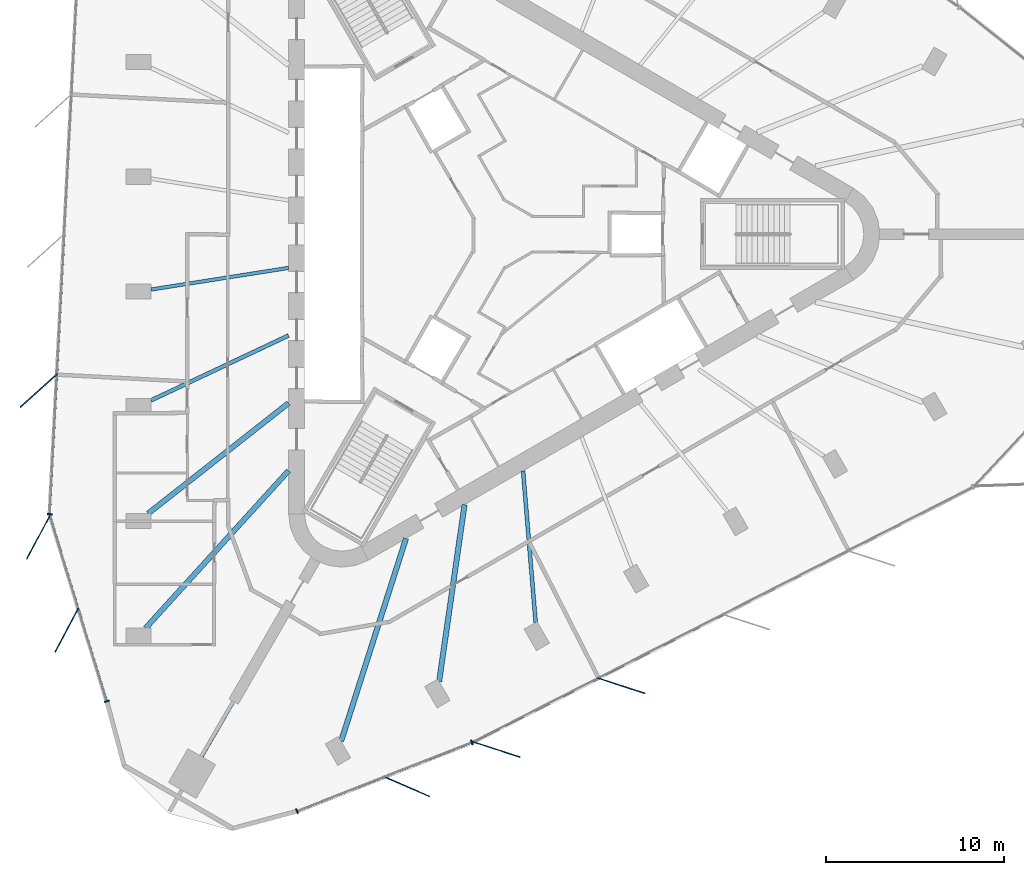
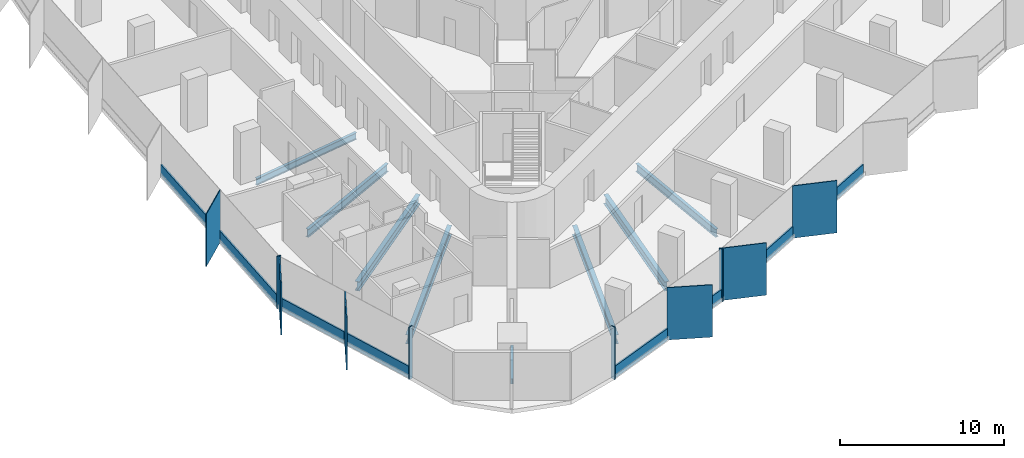
# One storey, part 2 of 13: 18 members, 8 beams, 4 elements without a shape of their own.
"""IFC4 building model written with IfcOpenShell, lengths in metres."""

from ifc_helpers import new_model, si_unit, direction, frame, origin, origin_2d, place, context, subcontext, project, spatial, rectangle, i_section, extrude, material, material_profile, profile_set, type_object, element, aggregate, save


model = new_model("IFC4")

# Units and contexts
model_context = context("Model", 3, precision=1e-05, world=origin(), true_north=direction((0.0, 1.0)))
body_context = subcontext(model_context, "Body", "Model", "MODEL_VIEW")
ifc_project = project(units=[si_unit("LENGTHUNIT", "METRE"), si_unit("AREAUNIT", "SQUARE_METRE"), si_unit("VOLUMEUNIT", "CUBIC_METRE"), si_unit("PLANEANGLEUNIT", "RADIAN"), si_unit("MASSUNIT", "GRAM", prefix="KILO")], contexts=[model_context])

# Site, building, storey
site_placement = place(None, origin())
site = spatial("IfcSite", under=ifc_project, at=site_placement, CompositionType="ELEMENT")
building_placement = place(site_placement, origin())
building = spatial("IfcBuilding", under=site, at=building_placement, Name="Tanit Gate Tower", CompositionType="ELEMENT")
storey_placement = place(building_placement, frame((0.0, 0.0, 314.300048828125)))
storey = spatial("IfcBuildingStorey", under=building, at=storey_placement, Name="L70", CompositionType="ELEMENT", Elevation=314.300048828125)

# Curtain wall, member
ifc_material_1 = material(Name="Aluminium bronze anodised and glass", Category="aluminium")
curtain_wall_type = type_object("IfcCurtainWallType", Name="Curtain wall typical high", PredefinedType="NOTDEFINED", material=ifc_material_1)
curtain_wall_1_placement = place(storey_placement, origin())
curtain_wall_1 = element("IfcCurtainWall", 1, at=curtain_wall_1_placement, inside=storey, type_object=curtain_wall_type, Name="Curtain wall L70 W2", PredefinedType="NOTDEFINED")
ifc_material_2 = material(Name="Aluminium bronze anodised", Category="aluminium")
ifc_material_profile_1 = material_profile(ifc_material_2, rectangle(XDim=2.800048828125, YDim=0.055908203125, at=origin_2d()), Name="56x2800 bronze fin mullion")
ifc_profile_set_1 = profile_set([ifc_material_profile_1], Name="Aluminium bronze anodised")
member_type_1 = type_object("IfcMemberType", Name="FIN MULLION 56x2800 bronze", PredefinedType="MULLION", material=ifc_profile_set_1)
member_1_placement = place(storey_placement, frame((-26.171630859375, -8.811279296875, -0.300048828125), z_axis=(0.0, 0.0, 1.0), x_axis=(0.742921658135, 0.669378375715, 0.0)))
member_1 = element("IfcMember", 2, at=member_1_placement, type_object=member_type_1, Name="Fin mullion L70 W2.4", PredefinedType="MULLION", context=body_context, shape_type="SweptSolid", body=[
    extrude(rectangle(XDim=2.800048828125, YDim=0.055908203125, at=origin_2d()), origin(), (0.0, 0.0, 1.0), 3.89990234375),
])

# Curtain wall, members
curtain_wall_2_placement = place(storey_placement, origin())
curtain_wall_2 = element("IfcCurtainWall", 3, at=curtain_wall_2_placement, inside=storey, type_object=curtain_wall_type, Name="Curtain wall L70 W3", PredefinedType="NOTDEFINED")
member_2_placement = place(storey_placement, frame((-26.195068359375, -17.0732421875, -0.300048828125), z_axis=(0.0, 0.0, 1.0), x_axis=(0.469169269872, 0.883108258487, 0.0)))
member_2 = element("IfcMember", 4, at=member_2_placement, type_object=member_type_1, Name="Fin mullion L70 W3.1", PredefinedType="MULLION", context=body_context, shape_type="SweptSolid", body=[
    extrude(rectangle(XDim=2.800048828125, YDim=0.055908203125, at=origin_2d()), origin(), (0.0, 0.0, 1.0), 3.89990234375),
])
member_3_placement = place(storey_placement, frame((-24.59423828125, -22.302734375, -0.300048828125), z_axis=(0.0, 0.0, 1.0), x_axis=(0.469169269872, 0.883108258487, 0.0)))
member_3 = element("IfcMember", 5, at=member_3_placement, type_object=member_type_1, Name="Fin mullion L70 W3.2", PredefinedType="MULLION", context=body_context, shape_type="SweptSolid", body=[
    extrude(rectangle(XDim=2.800048828125, YDim=0.055908203125, at=origin_2d()), origin(), (0.0, 0.0, 1.0), 3.89990234375),
])

# Curtain wall, member
curtain_wall_3_placement = place(storey_placement, origin())
curtain_wall_3 = element("IfcCurtainWall", 6, at=curtain_wall_3_placement, inside=storey, type_object=curtain_wall_type, Name="Curtain wall L70 SE1", PredefinedType="NOTDEFINED")
member_4_placement = place(storey_placement, frame((-5.437744140625, -31.119873046875, -0.300048828125), z_axis=(0.0, 0.0, 1.0), x_axis=(-0.916890797813, 0.399138152632, 0.0)))
member_4 = element("IfcMember", 7, at=member_4_placement, type_object=member_type_1, Name="Fin mullion L70 SE1.2", PredefinedType="MULLION", context=body_context, shape_type="SweptSolid", body=[
    extrude(rectangle(XDim=2.800048828125, YDim=0.055908203125, at=origin_2d()), origin(), (0.0, 0.0, 1.0), 3.89990234375),
])

# Curtain wall, members
curtain_wall_4_placement = place(storey_placement, origin())
curtain_wall_4 = element("IfcCurtainWall", 8, at=curtain_wall_4_placement, inside=storey, type_object=curtain_wall_type, Name="Curtain wall L70 SE2", PredefinedType="NOTDEFINED")
member_5_placement = place(storey_placement, frame((-0.395263671875, -29.025634765625, -0.300048828125), z_axis=(0.0, 0.0, 1.0), x_axis=(-0.95115950718, 0.308699841109, 0.0)))
member_5 = element("IfcMember", 9, at=member_5_placement, type_object=member_type_1, Name="Fin mullion L70 SE2.1", PredefinedType="MULLION", context=body_context, shape_type="SweptSolid", body=[
    extrude(rectangle(XDim=2.800048828125, YDim=0.055908203125, at=origin_2d()), origin(), (0.0, 0.0, 1.0), 3.89990234375),
])
member_6_placement = place(storey_placement, frame((6.64208984375, -25.43701171875, -0.300048828125), z_axis=(0.0, 0.0, 1.0), x_axis=(-0.95115950718, 0.308699841109, 0.0)))
member_6 = element("IfcMember", 10, at=member_6_placement, type_object=member_type_1, Name="Fin mullion L70 SE2.2", PredefinedType="MULLION", context=body_context, shape_type="SweptSolid", body=[
    extrude(rectangle(XDim=2.800048828125, YDim=0.055908203125, at=origin_2d()), origin(), (0.0, 0.0, 1.0), 3.89990234375),
])

# Member
ifc_material_3 = material(Name="Aluminium bronze anodised", Category="aluminium")
ifc_material_profile_2 = material_profile(ifc_material_3, rectangle(XDim=0.280029296875, YDim=0.080078125, at=origin_2d()), Name="80x280 bronze mullion")
ifc_profile_set_2 = profile_set([ifc_material_profile_2], Name="Aluminium bronze anodised")
member_type_2 = type_object("IfcMemberType", Name="Mullion 80x280 typical high", PredefinedType="MULLION", material=ifc_profile_set_2)
member_7_placement = place(storey_placement, frame((-25.55712890625, -15.776123046875, -0.300048828125), z_axis=(0.0, 0.0, 1.0), x_axis=(0.998646931005, -0.05200295371, 0.0)))
member_7 = element("IfcMember", 11, at=member_7_placement, type_object=member_type_2, Name="Mullion L70 W2.5", PredefinedType="MULLION", context=body_context, shape_type="SweptSolid", body=[
    extrude(rectangle(XDim=0.280029296875, YDim=0.080078125, at=origin_2d()), origin(), (0.0, 0.0, 1.0), 3.89990234375),
])

member_8_placement = place(storey_placement, frame((-22.345947265625, -26.3134765625, -0.300048828125), z_axis=(0.0, 0.0, 1.0), x_axis=(0.956204610349, 0.292699065847, 0.0)))
member_8 = element("IfcMember", 12, at=member_8_placement, type_object=member_type_2, Name="Mullion L70 W3.3", PredefinedType="MULLION", context=body_context, shape_type="SweptSolid", body=[
    extrude(rectangle(XDim=0.280029296875, YDim=0.080078125, at=origin_2d()), origin(), (0.0, 0.0, 1.0), 3.89990234375),
])

member_9_placement = place(storey_placement, frame((-11.625732421875, -32.505615234375, -0.300048828125), z_axis=(0.0, 0.0, 1.0), x_axis=(-0.366106406385, 0.930572995097, 0.0)))
member_9 = element("IfcMember", 13, at=member_9_placement, type_object=member_type_2, Name="Mullion L70 SE1.1", PredefinedType="MULLION", context=body_context, shape_type="SweptSolid", body=[
    extrude(rectangle(XDim=0.280029296875, YDim=0.080078125, at=origin_2d()), origin(), (0.0, 0.0, 1.0), 3.89990234375),
])

member_10_placement = place(storey_placement, frame((-1.78076171875, -28.63232421875, -0.300048828125), z_axis=(0.0, 0.0, 1.0), x_axis=(-0.366106406385, 0.930572995097, 0.0)))
member_10 = element("IfcMember", 14, at=member_10_placement, type_object=member_type_2, Name="Mullion L70 SE1.3", PredefinedType="MULLION", context=body_context, shape_type="SweptSolid", body=[
    extrude(rectangle(XDim=0.280029296875, YDim=0.080078125, at=origin_2d()), origin(), (0.0, 0.0, 1.0), 3.89990234375),
])

# Beams
ifc_material_4 = material(Name="Steel S355", Category="steel")
ifc_material_profile_3 = material_profile(ifc_material_4, i_section(OverallWidth=0.300048828125, OverallDepth=0.68994140625, WebThickness=0.014404296875, FlangeThickness=0.027099609375, FilletRadius=0.027099609375, at=origin_2d()), Name="HEA 700")
ifc_profile_set_3 = profile_set([ifc_material_profile_3], Name="Steel S355")
beam_type_1 = type_object("IfcBeamType", Name="RADIAL GIRDER HEA 700 S355", PredefinedType="BEAM", material=ifc_profile_set_3)
beam_1_placement = place(storey_placement, frame((-20.009033203125, -15.734619140625, -0.64501953125), z_axis=(0.786058028023, 0.618152712993, 0.0), x_axis=(-0.618152712993, 0.786058028023, 0.0)))
element("IfcBeam", 15, at=beam_1_placement, inside=storey, type_object=beam_type_1, Name="RADIAL GIRDER", PredefinedType="BEAM", context=body_context, shape_type="SweptSolid", body=[
    extrude(i_section(OverallWidth=0.300048828125, OverallDepth=0.68994140625, WebThickness=0.014404296875, FlangeThickness=0.027099609375, FilletRadius=0.027099609375, at=origin_2d()), origin(), (0.0, 0.0, 1.0), 10.05908203125),
])
beam_2_placement = place(storey_placement, frame((-20.16357421875, -22.198486328125, -0.64501953125), z_axis=(0.672368682258, 0.740216424513, 0.0), x_axis=(-0.740216424513, 0.672368682258, 0.0)))
element("IfcBeam", 16, at=beam_2_placement, inside=storey, type_object=beam_type_1, Name="RADIAL GIRDER", PredefinedType="BEAM", context=body_context, shape_type="SweptSolid", body=[
    extrude(i_section(OverallWidth=0.300048828125, OverallDepth=0.68994140625, WebThickness=0.014404296875, FlangeThickness=0.027099609375, FilletRadius=0.027099609375, at=origin_2d()), origin(), (0.0, 0.0, 1.0), 11.98974609375),
])
beam_3_placement = place(storey_placement, frame((-9.142822265625, -28.5615234375, -0.64501953125), z_axis=(0.304861429939, 0.952396718041, 0.0), x_axis=(-0.952396718041, 0.304861429939, 0.0)))
element("IfcBeam", 17, at=beam_3_placement, inside=storey, type_object=beam_type_1, Name="RADIAL GIRDER", PredefinedType="BEAM", context=body_context, shape_type="SweptSolid", body=[
    extrude(i_section(OverallWidth=0.300048828125, OverallDepth=0.68994140625, WebThickness=0.014404296875, FlangeThickness=0.027099609375, FilletRadius=0.027099609375, at=origin_2d()), origin(), (0.0, 0.0, 1.0), 11.989990234375),
])
beam_4_placement = place(storey_placement, frame((-3.622314453125, -25.19580078125, -0.64501953125), z_axis=(0.142297951306, 0.989823869713, 0.0), x_axis=(-0.989823869713, 0.142297951306, 0.0)))
element("IfcBeam", 18, at=beam_4_placement, inside=storey, type_object=beam_type_1, Name="RADIAL GIRDER", PredefinedType="BEAM", context=body_context, shape_type="SweptSolid", body=[
    extrude(i_section(OverallWidth=0.300048828125, OverallDepth=0.68994140625, WebThickness=0.014404296875, FlangeThickness=0.027099609375, FilletRadius=0.027099609375, at=origin_2d()), origin(), (0.0, 0.0, 1.0), 10.05908203125),
])
ifc_material_5 = material(Name="Steel S355", Category="steel")
ifc_material_profile_4 = material_profile(ifc_material_5, i_section(OverallWidth=0.179931640625, OverallDepth=0.39990234375, WebThickness=0.008544921875, FlangeThickness=0.013427734375, FilletRadius=0.02099609375, at=origin_2d()), Name="IPE 400")
ifc_profile_set_4 = profile_set([ifc_material_profile_4], Name="Steel S355")
beam_type_2 = type_object("IfcBeamType", Name="RADIAL GIRDER IPE 400 S355", PredefinedType="BEAM", material=ifc_profile_set_4)
beam_5_placement = place(storey_placement, frame((-16.991455078125, -29.43017578125, -0.5), z_axis=(0.499968468511, 0.866043607733, 0.0), x_axis=(-0.866043607733, 0.499968468511, 0.0)))
element("IfcBeam", 19, at=beam_5_placement, inside=storey, type_object=beam_type_2, Name="RADIAL GIRDER", PredefinedType="BEAM", context=body_context, shape_type="SweptSolid", body=[
    extrude(i_section(OverallWidth=0.179931640625, OverallDepth=0.39990234375, WebThickness=0.008544921875, FlangeThickness=0.013427734375, FilletRadius=0.02099609375, at=origin_2d()), origin(), (0.0, 0.0, 1.0), 3.579345703125),
])
ifc_material_6 = material(Name="Steel S355", Category="steel")
ifc_material_profile_5 = material_profile(ifc_material_6, i_section(OverallWidth=0.199951171875, OverallDepth=0.5, WebThickness=0.01025390625, FlangeThickness=0.01611328125, FilletRadius=0.02099609375, at=origin_2d()), Name="IPE 500")
ifc_profile_set_5 = profile_set([ifc_material_profile_5], Name="Steel S355")
beam_type_3 = type_object("IfcBeamType", Name="RADIAL GIRDER IPE 500 S355", PredefinedType="BEAM", material=ifc_profile_set_5)
beam_6_placement = place(storey_placement, frame((-19.849609375, -3.121826171875, -0.550048828125), z_axis=(0.987856930441, 0.15536629293, 0.0), x_axis=(-0.15536629293, 0.987856930441, 0.0)))
element("IfcBeam", 20, at=beam_6_placement, inside=storey, type_object=beam_type_3, Name="RADIAL GIRDER", PredefinedType="BEAM", context=body_context, shape_type="SweptSolid", body=[
    extrude(i_section(OverallWidth=0.199951171875, OverallDepth=0.5, WebThickness=0.01025390625, FlangeThickness=0.01611328125, FilletRadius=0.02099609375, at=origin_2d()), origin(), (0.0, 0.0, 1.0), 7.8427734375),
])
ifc_material_7 = material(Name="Steel S355", Category="steel")
ifc_material_profile_6 = material_profile(ifc_material_7, i_section(OverallWidth=0.219970703125, OverallDepth=0.60009765625, WebThickness=0.011962890625, FlangeThickness=0.01904296875, FilletRadius=0.02392578125, at=origin_2d()), Name="IPE 600")
ifc_profile_set_6 = profile_set([ifc_material_profile_6], Name="Steel S355")
beam_type_4 = type_object("IfcBeamType", Name="RADIAL GIRDER IPE 600 S355", PredefinedType="BEAM", material=ifc_profile_set_6)
for number, where, z_axis, x_axis, name in (
    (21, (-19.849609375, -9.365478515625, -0.60009765625), (0.90438615004, 0.426715000458, 0.0), (-0.426715000458, 0.90438615004, 0.0), "RADIAL GIRDER"),
    (22, (1.81396484375, -21.873046875, -0.60009765625), (-0.082646881355, 0.99657889452, 0.0), (-0.99657889452, -0.082646881355, 0.0), "RADIAL GIRDER"),
):
    element("IfcBeam", number, at=place(storey_placement, frame(where, z_axis=z_axis, x_axis=x_axis)), inside=storey, type_object=beam_type_4, Name=name, PredefinedType="BEAM", context=body_context, shape_type="SweptSolid", body=[
        extrude(i_section(OverallWidth=0.219970703125, OverallDepth=0.60009765625, WebThickness=0.011962890625, FlangeThickness=0.01904296875, FilletRadius=0.02392578125, at=origin_2d()), origin(), (0.0, 0.0, 1.0), 8.566650390625),
    ])

# Member
ifc_material_8 = material(Name="Aluminium bronze anodised", Category="aluminium")
ifc_material_profile_7 = material_profile(ifc_material_8, rectangle(XDim=0.1201171875, YDim=0.89990234375, at=origin_2d()), Name="120x900 bronze transom")
ifc_profile_set_7 = profile_set([ifc_material_profile_7], Name="Aluminium bronze anodised")
member_type_3 = type_object("IfcMemberType", Name="Transom 120x900 typical high", PredefinedType="USERDEFINED", material=ifc_profile_set_7)
member_11_placement = place(storey_placement, frame((-24.737548828125, -0.03857421875, 0.14990234375), z_axis=(-0.05201640207, -0.998646230612, 0.0), x_axis=(0.998646230612, -0.05201640207, 0.0)))
member_11 = element("IfcMember", 23, at=member_11_placement, type_object=member_type_3, Name="Transom L70 W2.3", ObjectType="TRANSOM", PredefinedType="USERDEFINED", context=body_context, shape_type="SweptSolid", body=[
    extrude(rectangle(XDim=0.1201171875, YDim=0.89990234375, at=origin_2d()), origin(), (0.0, 0.0, 1.0), 7.8193359375),
])

member_12_placement = place(storey_placement, frame((-25.1484375, -7.92724609375, 0.14990234375), z_axis=(-0.05201640207, -0.998646230612, 0.0), x_axis=(0.998646230612, -0.05201640207, 0.0)))
member_12 = element("IfcMember", 24, at=member_12_placement, type_object=member_type_3, Name="Transom L70 W2.4", ObjectType="TRANSOM", PredefinedType="USERDEFINED", context=body_context, shape_type="SweptSolid", body=[
    extrude(rectangle(XDim=0.1201171875, YDim=0.89990234375, at=origin_2d()), origin(), (0.0, 0.0, 1.0), 7.8193359375),
])

aggregate(curtain_wall_1, [member_1, member_7, member_11, member_12])

member_13_placement = place(storey_placement, frame((-25.535888671875, -15.892578125, 0.14990234375), z_axis=(0.292700746811, -0.956204095796, 0.0), x_axis=(0.956204095796, 0.292700746811, 0.0)))
member_13 = element("IfcMember", 25, at=member_13_placement, type_object=member_type_3, Name="Transom L70 W3.1", ObjectType="TRANSOM", PredefinedType="USERDEFINED", context=body_context, shape_type="SweptSolid", body=[
    extrude(rectangle(XDim=0.1201171875, YDim=0.89990234375, at=origin_2d()), origin(), (0.0, 0.0, 1.0), 5.38916015625),
])

member_14_placement = place(storey_placement, frame((-23.93505859375, -21.122314453125, 0.14990234375), z_axis=(0.292700746811, -0.956204095796, 0.0), x_axis=(0.956204095796, 0.292700746811, 0.0)))
member_14 = element("IfcMember", 26, at=member_14_placement, type_object=member_type_3, Name="Transom L70 W3.2", ObjectType="TRANSOM", PredefinedType="USERDEFINED", context=body_context, shape_type="SweptSolid", body=[
    extrude(rectangle(XDim=0.1201171875, YDim=0.89990234375, at=origin_2d()), origin(), (0.0, 0.0, 1.0), 5.38916015625),
])

aggregate(curtain_wall_2, [member_2, member_3, member_8, member_13, member_14])

member_15_placement = place(storey_placement, frame((-11.58837890625, -32.490966796875, 0.14990234375), z_axis=(0.930575374327, 0.366100358777, 0.0), x_axis=(-0.366100358777, 0.930575374327, 0.0)))
member_15 = element("IfcMember", 27, at=member_15_placement, type_object=member_type_3, Name="Transom L70 SE1.1", ObjectType="TRANSOM", PredefinedType="USERDEFINED", context=body_context, shape_type="SweptSolid", body=[
    extrude(rectangle(XDim=0.1201171875, YDim=0.89990234375, at=origin_2d()), origin(), (0.0, 0.0, 1.0), 5.20947265625),
])

member_16_placement = place(storey_placement, frame((-6.666015625, -30.554443359375, 0.14990234375), z_axis=(0.930559407954, 0.366140940442, 0.0), x_axis=(-0.366140940442, 0.930559407954, 0.0)))
member_16 = element("IfcMember", 28, at=member_16_placement, type_object=member_type_3, Name="Transom L70 SE1.2", ObjectType="TRANSOM", PredefinedType="USERDEFINED", context=body_context, shape_type="SweptSolid", body=[
    extrude(rectangle(XDim=0.1201171875, YDim=0.89990234375, at=origin_2d()), origin(), (0.0, 0.0, 1.0), 5.209716796875),
])

aggregate(curtain_wall_3, [member_9, member_4, member_10, member_15, member_16])

member_17_placement = place(storey_placement, frame((-1.67236328125, -28.58154296875, 0.14990234375), z_axis=(0.890845944364, 0.454305517697, 0.0), x_axis=(-0.454305517697, 0.890845944364, 0.0)))
member_17 = element("IfcMember", 29, at=member_17_placement, type_object=member_type_3, Name="Transom L70 SE2.1", ObjectType="TRANSOM", PredefinedType="USERDEFINED", context=body_context, shape_type="SweptSolid", body=[
    extrude(rectangle(XDim=0.1201171875, YDim=0.89990234375, at=origin_2d()), origin(), (0.0, 0.0, 1.0), 7.819580078125),
])

member_18_placement = place(storey_placement, frame((5.364990234375, -24.99267578125, 0.14990234375), z_axis=(0.890852136495, 0.454293375368, 0.0), x_axis=(-0.454293375368, 0.890852136495, 0.0)))
member_18 = element("IfcMember", 30, at=member_18_placement, type_object=member_type_3, Name="Transom L70 SE2.2", ObjectType="TRANSOM", PredefinedType="USERDEFINED", context=body_context, shape_type="SweptSolid", body=[
    extrude(rectangle(XDim=0.1201171875, YDim=0.89990234375, at=origin_2d()), origin(), (0.0, 0.0, 1.0), 7.8193359375),
])

aggregate(curtain_wall_4, [member_5, member_6, member_17, member_18])

save(model, "model.ifc")
